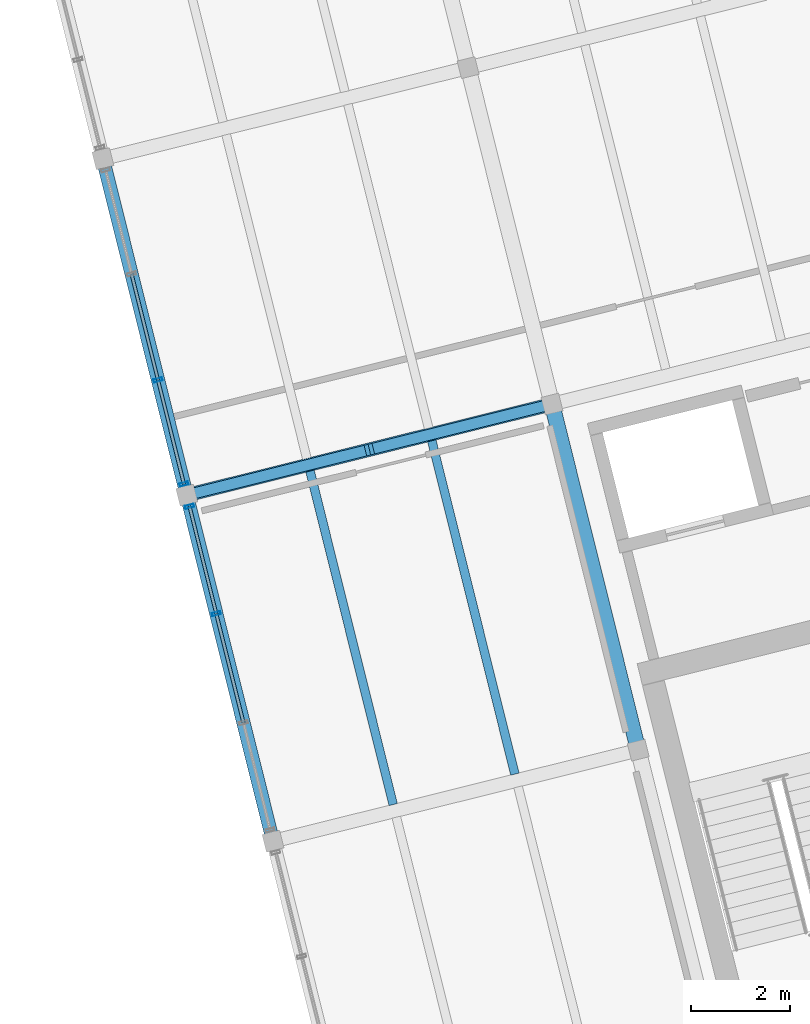
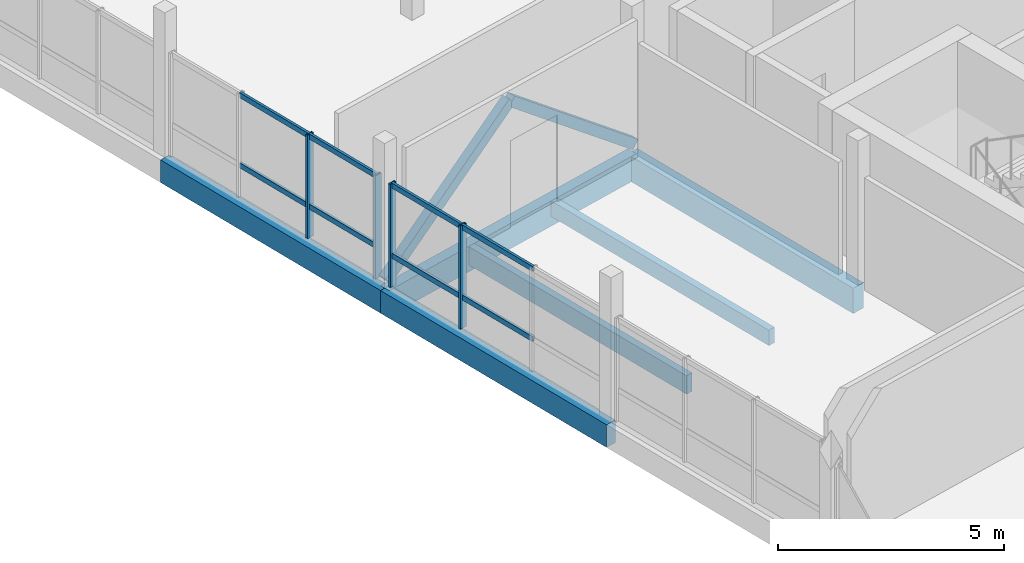
# One storey, part 7 of 28: 14 members, 6 beams, 2 elements without a shape of their own.
"""IFC4 building model written with IfcOpenShell, lengths in metres."""

from ifc_helpers import new_model, si_unit, direction, frame, origin, origin_2d, place, context, subcontext, project, spatial, rectangle, hollow_rectangle, extrude, material, layer, layer_set, material_profile, profile_set, type_object, element, aggregate, save


model = new_model("IFC4")

# Units and contexts
model_context = context("Model", 3, precision=1e-05, world=origin(), true_north=direction((0.0, 1.0)))
body_context = subcontext(model_context, "Body", "Model", "MODEL_VIEW")
ifc_project = project(units=[si_unit("LENGTHUNIT", "METRE"), si_unit("AREAUNIT", "SQUARE_METRE"), si_unit("VOLUMEUNIT", "CUBIC_METRE"), si_unit("PLANEANGLEUNIT", "RADIAN"), si_unit("MASSUNIT", "GRAM", prefix="KILO")], contexts=[model_context])

# Site, building, storey
site_placement = place(None, origin())
site = spatial("IfcSite", under=ifc_project, at=site_placement, CompositionType="ELEMENT")
building_placement = place(site_placement, origin())
building = spatial("IfcBuilding", under=site, at=building_placement, Name="Meriwether Solvik Hall", CompositionType="ELEMENT")
storey_placement = place(building_placement, frame((0.0, 0.0, 37.800048828125)))
storey = spatial("IfcBuildingStorey", under=building, at=storey_placement, Name="L09", CompositionType="ELEMENT", Elevation=37.800048828125)

# Beams
ifc_material_1 = material(Name="Glulam Douglas-Fir 24F-V8 GL28h", Category="wood")
ifc_material_profile_1 = material_profile(ifc_material_1, rectangle(XDim=0.27294921875, YDim=0.610107421875, at=origin_2d()), Name="GLB-273X610")
ifc_profile_set_1 = profile_set([ifc_material_profile_1], Name="Glulam Douglas-Fir 24F-V8 GL28h")
beam_type_1 = type_object("IfcBeamType", Name="BM-GL-273X610", PredefinedType="SPANDREL", material=ifc_profile_set_1)
beam_1_placement = place(storey_placement, frame((65.261474609375, 54.590087890625, -0.485107421875), z_axis=(-0.241937193493, 0.970291911955, 0.0), x_axis=(-0.970291911955, -0.241937193493, 0.0)))
element("IfcBeam", 1, at=beam_1_placement, inside=storey, type_object=beam_type_1, Name="Tower Girder T1:TC-TD (L09)", PredefinedType="SPANDREL", context=body_context, shape_type="SweptSolid", body=[
    extrude(rectangle(XDim=0.27294921875, YDim=0.610107421875, at=origin_2d()), origin(), (0.0, 0.0, 1.0), 7.199951171875),
])
beam_2_placement = place(storey_placement, frame((63.51953125, 61.576171875, -0.485107421875), z_axis=(-0.241911879182, 0.970298223594, 0.0), x_axis=(-0.970298223594, -0.241911879182, 0.0)))
element("IfcBeam", 2, at=beam_2_placement, inside=storey, type_object=beam_type_1, Name="Tower Girder T1:TD-TE (L09)", PredefinedType="SPANDREL", context=body_context, shape_type="SweptSolid", body=[
    extrude(rectangle(XDim=0.27294921875, YDim=0.610107421875, at=origin_2d()), origin(), (0.0, 0.0, 1.0), 7.0),
])
ifc_material_2 = material(Name="Glulam Douglas-Fir 24F-V8 GL28h", Category="wood")
ifc_material_profile_2 = material_profile(ifc_material_2, rectangle(XDim=0.27294921875, YDim=0.68505859375, at=origin_2d()), Name="GLB-273X685")
ifc_profile_set_2 = profile_set([ifc_material_profile_2], Name="Glulam Douglas-Fir 24F-V8 GL28h")
beam_type_2 = type_object("IfcBeamType", Name="BM-GL-273X685", PredefinedType="BEAM", material=ifc_profile_set_2)
beam_3_placement = place(storey_placement, frame((63.51953125, 61.576171875, -0.5224609375), z_axis=(0.970295366785, 0.241923337436, 0.0), x_axis=(-0.241923337436, 0.970295366785, 0.0)))
element("IfcBeam", 3, at=beam_3_placement, inside=storey, type_object=beam_type_2, Name="Tower Girder TD:T1-T2 (L09)", PredefinedType="BEAM", context=body_context, shape_type="SweptSolid", body=[
    extrude(rectangle(XDim=0.27294921875, YDim=0.68505859375, at=origin_2d()), origin(), (0.0, 0.0, 1.0), 7.60009765625),
])
ifc_material_3 = material(Name="Glulam Douglas-Fir 24F-V8 GL28h", Category="wood")
ifc_material_profile_3 = material_profile(ifc_material_3, rectangle(XDim=0.31494140625, YDim=0.68505859375, at=origin_2d()), Name="GLB-315X685")
ifc_profile_set_3 = profile_set([ifc_material_profile_3], Name="Glulam Douglas-Fir 24F-V8 GL28h")
beam_type_3 = type_object("IfcBeamType", Name="BM-GL-315X685", PredefinedType="BEAM", material=ifc_profile_set_3)
beam_4_placement = place(storey_placement, frame((72.6357421875, 56.4287109375, -0.5224609375), z_axis=(-0.241937193493, 0.970291911955, 0.0), x_axis=(-0.970291911955, -0.241937193493, 0.0)))
element("IfcBeam", 4, at=beam_4_placement, inside=storey, type_object=beam_type_3, Name="Tower Girder T2:TC-TD (L09)", PredefinedType="BEAM", context=body_context, shape_type="SweptSolid", body=[
    extrude(rectangle(XDim=0.31494140625, YDim=0.68505859375, at=origin_2d()), origin(), (0.0, 0.0, 1.0), 7.199951171875),
])

# Curtain wall, members
ifc_material_4 = material(Name="Thermally Broken Anodised Aluminium 6063-T6 and Low-E Glass", Category="aluminium")
ifc_layer_1 = layer(ifc_material_4, 0.179931640625)
ifc_layer_set_1 = layer_set([ifc_layer_1], Name="Thermally Broken Anodised Aluminium 6063-T6 and Low-E Glass")
curtain_wall_type_1 = type_object("IfcCurtainWallType", Name="CW-UNIT-B", PredefinedType="USERDEFINED", material=ifc_layer_set_1)
curtain_wall_1_placement = place(storey_placement, origin())
curtain_wall_1 = element("IfcCurtainWall", 5, at=curtain_wall_1_placement, inside=storey, type_object=curtain_wall_type_1, Name="Curtain Wall E7_B2 (L09)", ObjectType="UNITISED CURTAIN WALL", PredefinedType="USERDEFINED")
ifc_material_5 = material(Name="Anodised Aluminium 6063-T6", Category="aluminium")
ifc_material_profile_4 = material_profile(ifc_material_5, hollow_rectangle(XDim=0.06494140625, YDim=0.179931640625, WallThickness=0.00439453125, at=origin_2d()), Name="CWM-65X180")
ifc_profile_set_4 = profile_set([ifc_material_profile_4], Name="Anodised Aluminium 6063-T6")
member_type_1 = type_object("IfcMemberType", Name="CW-MUL-65X180", PredefinedType="MULLION", material=ifc_profile_set_4)
member_1_placement = place(storey_placement, frame((64.115966796875, 59.1845703125, 0.0), z_axis=(0.0, 0.0, 1.0), x_axis=(-0.241921897937, 0.970295725693, 0.0)))
member_1 = element("IfcMember", 6, at=member_1_placement, type_object=member_type_1, Name="Curtain Wall Mullion 3", PredefinedType="MULLION", context=body_context, shape_type="SweptSolid", body=[
    extrude(hollow_rectangle(XDim=0.06494140625, YDim=0.179931640625, WallThickness=0.00439453125, at=origin_2d()), origin(), (0.0, 0.0, 1.0), 2.7900390625),
])
member_2_placement = place(storey_placement, frame((63.575927734375, 61.3505859375, 0.0), z_axis=(0.0, 0.0, 1.0), x_axis=(-0.241921897937, 0.970295725693, 0.0)))
member_2 = element("IfcMember", 7, at=member_2_placement, type_object=member_type_1, Name="Curtain Wall Mullion 4", PredefinedType="MULLION", context=body_context, shape_type="SweptSolid", body=[
    extrude(hollow_rectangle(XDim=0.06494140625, YDim=0.179931640625, WallThickness=0.00439453125, at=origin_2d()), origin(), (0.0, 0.0, 1.0), 2.7900390625),
])

ifc_material_6 = material(Name="Thermally Broken Anodised Aluminium 6063-T6 and Low-E Glass", Category="aluminium")
ifc_layer_2 = layer(ifc_material_6, 0.179931640625)
ifc_layer_set_2 = layer_set([ifc_layer_2], Name="Thermally Broken Anodised Aluminium 6063-T6 and Low-E Glass")
curtain_wall_type_2 = type_object("IfcCurtainWallType", Name="CW-UNIT-C", PredefinedType="USERDEFINED", material=ifc_layer_set_2)
curtain_wall_2_placement = place(storey_placement, origin())
curtain_wall_2 = element("IfcCurtainWall", 8, at=curtain_wall_2_placement, inside=storey, type_object=curtain_wall_type_2, Name="Curtain Wall E7_B3 (L09)", ObjectType="UNITISED CURTAIN WALL", PredefinedType="USERDEFINED")
member_3_placement = place(storey_placement, frame((63.46337890625, 61.8017578125, 0.0), z_axis=(0.0, 0.0, 1.0), x_axis=(-0.241921804422, 0.970295749009, 0.0)))
member_3 = element("IfcMember", 9, at=member_3_placement, type_object=member_type_1, Name="Curtain Wall Mullion 1", PredefinedType="MULLION", context=body_context, shape_type="SweptSolid", body=[
    extrude(hollow_rectangle(XDim=0.06494140625, YDim=0.179931640625, WallThickness=0.00439453125, at=origin_2d()), origin(), (0.0, 0.0, 1.0), 2.7900390625),
])
member_4_placement = place(storey_placement, frame((62.939453125, 63.903076171875, 0.0), z_axis=(0.0, 0.0, 1.0), x_axis=(-0.241921804422, 0.970295749009, 0.0)))
member_4 = element("IfcMember", 10, at=member_4_placement, type_object=member_type_1, Name="Curtain Wall Mullion 2", PredefinedType="MULLION", context=body_context, shape_type="SweptSolid", body=[
    extrude(hollow_rectangle(XDim=0.06494140625, YDim=0.179931640625, WallThickness=0.00439453125, at=origin_2d()), origin(), (0.0, 0.0, 1.0), 2.7900390625),
])

# Member
ifc_material_7 = material(Name="Anodised Aluminium 6063-T6", Category="aluminium")
ifc_material_profile_5 = material_profile(ifc_material_7, hollow_rectangle(XDim=0.06494140625, YDim=0.139892578125, WallThickness=0.00439453125, at=origin_2d()), Name="CWT-65X140")
ifc_profile_set_5 = profile_set([ifc_material_profile_5], Name="Anodised Aluminium 6063-T6")
member_type_2 = type_object("IfcMemberType", Name="CW-TRN-65X140", PredefinedType="USERDEFINED", material=ifc_profile_set_5)
member_5_placement = place(storey_placement, frame((64.665283203125, 56.981689453125, 0.8369140625), z_axis=(-0.241953627576, 0.970287814054, 0.0), x_axis=(-0.970287814054, -0.241953627576, 0.0)))
member_5 = element("IfcMember", 11, at=member_5_placement, type_object=member_type_2, Name="Curtain Wall Transom 2-sill", ObjectType="TRANSOM", PredefinedType="USERDEFINED", context=body_context, shape_type="SweptSolid", body=[
    extrude(hollow_rectangle(XDim=0.06494140625, YDim=0.139892578125, WallThickness=0.00439453125, at=origin_2d()), origin(), (0.0, 0.0, 1.0), 2.270263671875),
])

member_6_placement = place(storey_placement, frame((64.665283203125, 56.981689453125, 2.72998046875), z_axis=(-0.241953627576, 0.970287814054, 0.0), x_axis=(-0.970287814054, -0.241953627576, 0.0)))
member_6 = element("IfcMember", 12, at=member_6_placement, type_object=member_type_2, Name="Curtain Wall Transom 2-head", ObjectType="TRANSOM", PredefinedType="USERDEFINED", context=body_context, shape_type="SweptSolid", body=[
    extrude(hollow_rectangle(XDim=0.06494140625, YDim=0.139892578125, WallThickness=0.00439453125, at=origin_2d()), origin(), (0.0, 0.0, 1.0), 2.270263671875),
])

member_7_placement = place(storey_placement, frame((64.115966796875, 59.1845703125, 0.8369140625), z_axis=(-0.241917978668, 0.970296702868, 0.0), x_axis=(-0.970296702868, -0.241917978668, 0.0)))
member_7 = element("IfcMember", 13, at=member_7_placement, type_object=member_type_2, Name="Curtain Wall Transom 3-sill", ObjectType="TRANSOM", PredefinedType="USERDEFINED", context=body_context, shape_type="SweptSolid", body=[
    extrude(hollow_rectangle(XDim=0.06494140625, YDim=0.139892578125, WallThickness=0.00439453125, at=origin_2d()), origin(), (0.0, 0.0, 1.0), 2.232421875),
])

member_8_placement = place(storey_placement, frame((64.115966796875, 59.1845703125, 2.72998046875), z_axis=(-0.241917978668, 0.970296702868, 0.0), x_axis=(-0.970296702868, -0.241917978668, 0.0)))
member_8 = element("IfcMember", 14, at=member_8_placement, type_object=member_type_2, Name="Curtain Wall Transom 3-head", ObjectType="TRANSOM", PredefinedType="USERDEFINED", context=body_context, shape_type="SweptSolid", body=[
    extrude(hollow_rectangle(XDim=0.06494140625, YDim=0.139892578125, WallThickness=0.00439453125, at=origin_2d()), origin(), (0.0, 0.0, 1.0), 2.232421875),
])

aggregate(curtain_wall_1, [member_1, member_2, member_5, member_6, member_7, member_8])

member_9_placement = place(storey_placement, frame((63.46337890625, 61.8017578125, 0.8369140625), z_axis=(-0.241925491414, 0.970294829732, 0.0), x_axis=(-0.970294829732, -0.241925491414, 0.0)))
member_9 = element("IfcMember", 15, at=member_9_placement, type_object=member_type_2, Name="Curtain Wall Transom 1-sill", ObjectType="TRANSOM", PredefinedType="USERDEFINED", context=body_context, shape_type="SweptSolid", body=[
    extrude(hollow_rectangle(XDim=0.06494140625, YDim=0.139892578125, WallThickness=0.00439453125, at=origin_2d()), origin(), (0.0, 0.0, 1.0), 2.16552734375),
])

member_10_placement = place(storey_placement, frame((63.46337890625, 61.8017578125, 2.72998046875), z_axis=(-0.241925491414, 0.970294829732, 0.0), x_axis=(-0.970294829732, -0.241925491414, 0.0)))
member_10 = element("IfcMember", 16, at=member_10_placement, type_object=member_type_2, Name="Curtain Wall Transom 1-head", ObjectType="TRANSOM", PredefinedType="USERDEFINED", context=body_context, shape_type="SweptSolid", body=[
    extrude(hollow_rectangle(XDim=0.06494140625, YDim=0.139892578125, WallThickness=0.00439453125, at=origin_2d()), origin(), (0.0, 0.0, 1.0), 2.16552734375),
])

member_11_placement = place(storey_placement, frame((62.939453125, 63.903076171875, 0.8369140625), z_axis=(-0.241962089235, 0.970285703993, 0.0), x_axis=(-0.970285703993, -0.241962089235, 0.0)))
member_11 = element("IfcMember", 17, at=member_11_placement, type_object=member_type_2, Name="Curtain Wall Transom 2-sill", ObjectType="TRANSOM", PredefinedType="USERDEFINED", context=body_context, shape_type="SweptSolid", body=[
    extrude(hollow_rectangle(XDim=0.06494140625, YDim=0.139892578125, WallThickness=0.00439453125, at=origin_2d()), origin(), (0.0, 0.0, 1.0), 2.20361328125),
])

member_12_placement = place(storey_placement, frame((62.939453125, 63.903076171875, 2.72998046875), z_axis=(-0.241962089235, 0.970285703993, 0.0), x_axis=(-0.970285703993, -0.241962089235, 0.0)))
member_12 = element("IfcMember", 18, at=member_12_placement, type_object=member_type_2, Name="Curtain Wall Transom 2-head", ObjectType="TRANSOM", PredefinedType="USERDEFINED", context=body_context, shape_type="SweptSolid", body=[
    extrude(hollow_rectangle(XDim=0.06494140625, YDim=0.139892578125, WallThickness=0.00439453125, at=origin_2d()), origin(), (0.0, 0.0, 1.0), 2.20361328125),
])

aggregate(curtain_wall_2, [member_3, member_4, member_9, member_10, member_11, member_12])

# Beams
ifc_material_8 = material(Name="Glulam Douglas-Fir 24F-V8 GL28h", Category="wood")
ifc_material_profile_6 = material_profile(ifc_material_8, rectangle(XDim=0.175048828125, YDim=0.419921875, at=origin_2d()), Name="GLJ-175X420")
ifc_profile_set_6 = profile_set([ifc_material_profile_6], Name="Glulam Douglas-Fir 24F-V8 GL28h")
beam_type_4 = type_object("IfcBeamType", Name="JST-GL-175X420", PredefinedType="JOIST", material=ifc_profile_set_6)
beam_5_placement = place(storey_placement, frame((70.145751953125, 55.943359375, -0.39013671875), z_axis=(-0.241922788949, 0.970295503539, 0.0), x_axis=(-0.970295503539, -0.241922788949, 0.0)))
element("IfcBeam", 19, at=beam_5_placement, inside=storey, type_object=beam_type_4, Name="Glulam Floor Joist T1/TC-J2 (L09)", PredefinedType="JOIST", context=body_context, shape_type="SweptSolid", body=[
    extrude(rectangle(XDim=0.175048828125, YDim=0.419921875, at=origin_2d()), origin(), (0.0, 0.0, 1.0), 6.93701171875),
])
ifc_material_9 = material(Name="Glulam Douglas-Fir 24F-V8 GL28h", Category="wood")
ifc_material_profile_7 = material_profile(ifc_material_9, rectangle(XDim=0.175048828125, YDim=0.4951171875, at=origin_2d()), Name="GLJ-175X495")
ifc_profile_set_7 = profile_set([ifc_material_profile_7], Name="Glulam Douglas-Fir 24F-V8 GL28h")
beam_type_5 = type_object("IfcBeamType", Name="JST-GL-175X495", PredefinedType="JOIST", material=ifc_profile_set_7)
beam_6_placement = place(storey_placement, frame((67.687744140625, 55.33056640625, -0.427490234375), z_axis=(-0.241922788949, 0.970295503539, 0.0), x_axis=(-0.970295503539, -0.241922788949, 0.0)))
element("IfcBeam", 20, at=beam_6_placement, inside=storey, type_object=beam_type_5, Name="Glulam Floor Joist T1/TC-J1 (L09)", PredefinedType="JOIST", context=body_context, shape_type="SweptSolid", body=[
    extrude(rectangle(XDim=0.175048828125, YDim=0.4951171875, at=origin_2d()), origin(), (0.0, 0.0, 1.0), 6.93701171875),
])

# Members
ifc_material_10 = material(Name="Glulam Douglas-Fir 24F-V8 GL28h", Category="wood")
ifc_material_profile_8 = material_profile(ifc_material_10, rectangle(XDim=0.221923828125, YDim=0.26708984375, at=origin_2d()), Name="GLM-222X267")
ifc_profile_set_8 = profile_set([ifc_material_profile_8], Name="Glulam Douglas-Fir 24F-V8 GL28h")
member_type_3 = type_object("IfcMemberType", Name="MEM-BR-GL222", PredefinedType="BRACE", material=ifc_profile_set_8)
member_13_placement = place(storey_placement, frame((63.51953125, 61.576171875, 0.050048828125), z_axis=(0.759934780568, 0.189493106245, 0.621764820465), x_axis=(-0.241946039438, 0.970289706222, 0.0)))
element("IfcMember", 21, at=member_13_placement, inside=storey, type_object=member_type_3, Name="Tower Chevron Brace L09-B2A", PredefinedType="BRACE", context=body_context, shape_type="SweptSolid", body=[
    extrude(rectangle(XDim=0.221923828125, YDim=0.26708984375, at=origin_2d()), origin(), (0.0, 0.0, 1.0), 4.85205078125),
])
member_14_placement = place(storey_placement, frame((70.893798828125, 63.414794921875, 0.050048828125), z_axis=(-0.759920765775, -0.1894518397, 0.621794524082), x_axis=(0.241900633533, -0.970301027257, 0.0)))
element("IfcMember", 22, at=member_14_placement, inside=storey, type_object=member_type_3, Name="Tower Chevron Brace L09-B2B", PredefinedType="BRACE", context=body_context, shape_type="SweptSolid", body=[
    extrude(rectangle(XDim=0.221923828125, YDim=0.26708984375, at=origin_2d()), origin(), (0.0, 0.0, 1.0), 4.851806640625),
])

save(model, "model.ifc")
